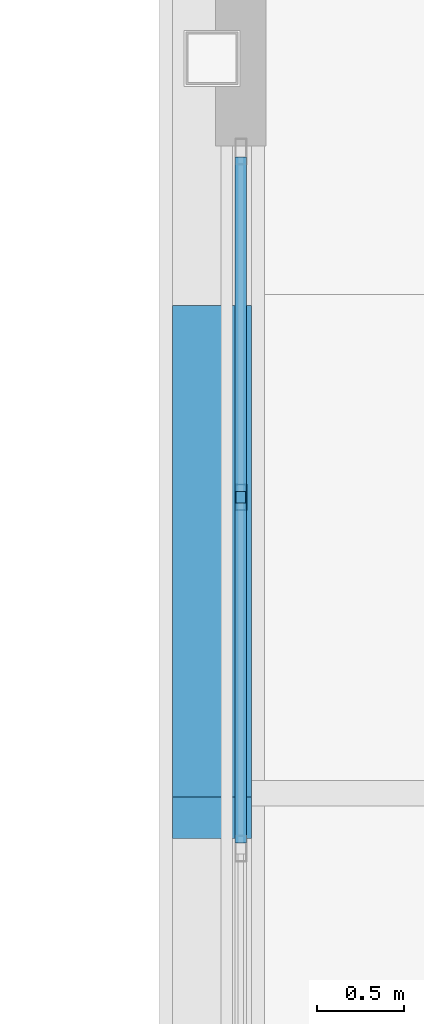
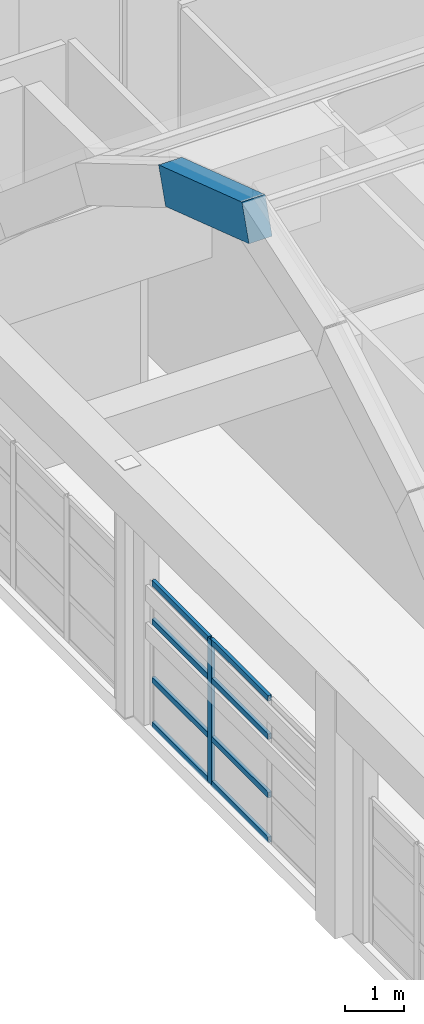
# One storey, part 34 of 103: 9 members, 1 beam, 1 element without a shape of its own.
"""IFC4 building model written with IfcOpenShell, lengths in metres."""

from ifc_helpers import new_model, si_unit, direction, frame, origin, origin_2d, place, context, subcontext, project, spatial, rectangle, hollow_rectangle, extrude, material, layer, layer_set, material_profile, profile_set, type_object, element, aggregate, save


model = new_model("IFC4")

# Units and contexts
model_context = context("Model", 3, precision=1e-05, world=origin(), true_north=direction((0.0, 1.0)))
body_context = subcontext(model_context, "Body", "Model", "MODEL_VIEW")
ifc_project = project(units=[si_unit("LENGTHUNIT", "METRE"), si_unit("AREAUNIT", "SQUARE_METRE"), si_unit("VOLUMEUNIT", "CUBIC_METRE"), si_unit("PLANEANGLEUNIT", "RADIAN"), si_unit("MASSUNIT", "GRAM", prefix="KILO")], contexts=[model_context])

# Site, building, storey
site_placement = place(None, origin())
site = spatial("IfcSite", under=ifc_project, at=site_placement, CompositionType="ELEMENT")
building_placement = place(site_placement, origin())
building = spatial("IfcBuilding", under=site, at=building_placement, Name="Quendrovan Civic Courthouse", CompositionType="ELEMENT")
storey_placement = place(building_placement, frame((0.0, 0.0, 15.300048828125)))
storey = spatial("IfcBuildingStorey", under=building, at=storey_placement, Name="L04", CompositionType="ELEMENT", Elevation=15.300048828125)

# Beam
ifc_material_1 = material(Name="Concrete C40/50", Category="concrete")
ifc_material_profile_1 = material_profile(ifc_material_1, rectangle(XDim=0.449951171875, YDim=0.75, at=origin_2d()), Name="RC-VRIB-450x750")
ifc_profile_set_1 = profile_set([ifc_material_profile_1], Name="Concrete C40/50")
beam_type = type_object("IfcBeamType", Name="BM-VRIB750", PredefinedType="BEAM", material=ifc_profile_set_1)
beam_placement = place(storey_placement, frame((33.60009765625, 76.05859375, 12.746337890625), z_axis=(0.0, 0.948839823913, -0.315757800468), x_axis=(-1.0, 0.0, 0.0)))
element("IfcBeam", 1, at=beam_placement, inside=storey, type_object=beam_type, Name="BV2 Concrete Vault Arch Rib A1-C5", PredefinedType="BEAM", context=body_context, shape_type="SweptSolid", body=[
    extrude(rectangle(XDim=0.449951171875, YDim=0.75, at=origin_2d()), origin(), (0.0, 0.0, 1.0), 2.96142578125),
])

# Curtain wall, members
ifc_material_2 = material(Name="Bronze anodised aluminium and low-E glass", Category="aluminium")
ifc_layer = layer(ifc_material_2, 0.179931640625, Name="Bronze anodised aluminium and low-E glass")
ifc_layer_set = layer_set([ifc_layer], Name="Bronze anodised aluminium and low-E glass")
curtain_wall_type = type_object("IfcCurtainWallType", Name="CW-U60x30", PredefinedType="USERDEFINED", material=ifc_layer_set)
curtain_wall_placement = place(storey_placement, origin())
curtain_wall = element("IfcCurtainWall", 2, at=curtain_wall_placement, inside=storey, type_object=curtain_wall_type, Name="L04 Unitised Hurricane Curtain Wall CW-165", ObjectType="UNITISED CURTAIN WALL", PredefinedType="USERDEFINED")
ifc_material_3 = material(Name="Bronze anodised aluminium", Category="aluminium")
ifc_material_profile_2 = material_profile(ifc_material_3, hollow_rectangle(XDim=0.06494140625, YDim=0.14990234375, WallThickness=0.00390625, at=origin_2d()), Name="CW-MULL-65x150")
ifc_profile_set_2 = profile_set([ifc_material_profile_2], Name="Bronze anodised aluminium")
member_type_1 = type_object("IfcMemberType", Name="CW-MULL-B", PredefinedType="MULLION", material=ifc_profile_set_2)
member_1_placement = place(storey_placement, frame((33.764892578125, 77.8916015625, 0.0), z_axis=(0.0, 0.0, 1.0), x_axis=(-1.0, 0.0, 0.0)))
member_1 = element("IfcMember", 3, at=member_1_placement, type_object=member_type_1, Name="CW-165 mullion 3", PredefinedType="MULLION", context=body_context, shape_type="SweptSolid", body=[
    extrude(hollow_rectangle(XDim=0.06494140625, YDim=0.14990234375, WallThickness=0.00390625, at=origin_2d()), origin(), (0.0, 0.0, 1.0), 2.969970703125),
])
ifc_material_profile_3 = material_profile(ifc_material_3, hollow_rectangle(XDim=0.06494140625, YDim=0.114990234375, WallThickness=0.00390625, at=origin_2d()), Name="CW-TRAN-65x115")
ifc_profile_set_3 = profile_set([ifc_material_profile_3], Name="Bronze anodised aluminium")
member_type_2 = type_object("IfcMemberType", Name="CW-TRAN-B", PredefinedType="USERDEFINED", material=ifc_profile_set_3)
member_2_placement = place(storey_placement, frame((33.764892578125, 75.915771484375, 0.032470703125), z_axis=(0.0, 1.0, 0.0), x_axis=(-1.0, 0.0, 0.0)))
member_2 = element("IfcMember", 4, at=member_2_placement, type_object=member_type_2, Name="CW-165 transom 2.1", ObjectType="TRANSOM", PredefinedType="USERDEFINED", context=body_context, shape_type="SweptSolid", body=[
    extrude(hollow_rectangle(XDim=0.06494140625, YDim=0.114990234375, WallThickness=0.00390625, at=origin_2d()), origin(), (0.0, 0.0, 1.0), 1.943359375),
])
member_3_placement = place(storey_placement, frame((33.764892578125, 75.915771484375, 0.949951171875), z_axis=(0.0, 1.0, 0.0), x_axis=(-1.0, 0.0, 0.0)))
member_3 = element("IfcMember", 5, at=member_3_placement, type_object=member_type_2, Name="CW-165 transom 2.2", ObjectType="TRANSOM", PredefinedType="USERDEFINED", context=body_context, shape_type="SweptSolid", body=[
    extrude(hollow_rectangle(XDim=0.06494140625, YDim=0.114990234375, WallThickness=0.00390625, at=origin_2d()), origin(), (0.0, 0.0, 1.0), 1.943359375),
])
member_4_placement = place(storey_placement, frame((33.764892578125, 75.915771484375, 2.14990234375), z_axis=(0.0, 1.0, 0.0), x_axis=(-1.0, 0.0, 0.0)))
member_4 = element("IfcMember", 6, at=member_4_placement, type_object=member_type_2, Name="CW-165 transom 2.3", ObjectType="TRANSOM", PredefinedType="USERDEFINED", context=body_context, shape_type="SweptSolid", body=[
    extrude(hollow_rectangle(XDim=0.06494140625, YDim=0.114990234375, WallThickness=0.00390625, at=origin_2d()), origin(), (0.0, 0.0, 1.0), 1.943359375),
])
member_5_placement = place(storey_placement, frame((33.764892578125, 75.915771484375, 2.9375), z_axis=(0.0, 1.0, 0.0), x_axis=(-1.0, 0.0, 0.0)))
member_5 = element("IfcMember", 7, at=member_5_placement, type_object=member_type_2, Name="CW-165 transom 2.4", ObjectType="TRANSOM", PredefinedType="USERDEFINED", context=body_context, shape_type="SweptSolid", body=[
    extrude(hollow_rectangle(XDim=0.06494140625, YDim=0.114990234375, WallThickness=0.00390625, at=origin_2d()), origin(), (0.0, 0.0, 1.0), 1.943359375),
])
member_6_placement = place(storey_placement, frame((33.764892578125, 77.924072265625, 0.032470703125), z_axis=(0.0, 1.0, 0.0), x_axis=(-1.0, 0.0, 0.0)))
member_6 = element("IfcMember", 8, at=member_6_placement, type_object=member_type_2, Name="CW-165 transom 3.1", ObjectType="TRANSOM", PredefinedType="USERDEFINED", context=body_context, shape_type="SweptSolid", body=[
    extrude(hollow_rectangle(XDim=0.06494140625, YDim=0.114990234375, WallThickness=0.00390625, at=origin_2d()), origin(), (0.0, 0.0, 1.0), 1.910888671875),
])
member_7_placement = place(storey_placement, frame((33.764892578125, 77.924072265625, 0.949951171875), z_axis=(0.0, 1.0, 0.0), x_axis=(-1.0, 0.0, 0.0)))
member_7 = element("IfcMember", 9, at=member_7_placement, type_object=member_type_2, Name="CW-165 transom 3.2", ObjectType="TRANSOM", PredefinedType="USERDEFINED", context=body_context, shape_type="SweptSolid", body=[
    extrude(hollow_rectangle(XDim=0.06494140625, YDim=0.114990234375, WallThickness=0.00390625, at=origin_2d()), origin(), (0.0, 0.0, 1.0), 1.910888671875),
])
member_8_placement = place(storey_placement, frame((33.764892578125, 77.924072265625, 2.14990234375), z_axis=(0.0, 1.0, 0.0), x_axis=(-1.0, 0.0, 0.0)))
member_8 = element("IfcMember", 10, at=member_8_placement, type_object=member_type_2, Name="CW-165 transom 3.3", ObjectType="TRANSOM", PredefinedType="USERDEFINED", context=body_context, shape_type="SweptSolid", body=[
    extrude(hollow_rectangle(XDim=0.06494140625, YDim=0.114990234375, WallThickness=0.00390625, at=origin_2d()), origin(), (0.0, 0.0, 1.0), 1.910888671875),
])
member_9_placement = place(storey_placement, frame((33.764892578125, 77.924072265625, 2.9375), z_axis=(0.0, 1.0, 0.0), x_axis=(-1.0, 0.0, 0.0)))
member_9 = element("IfcMember", 11, at=member_9_placement, type_object=member_type_2, Name="CW-165 transom 3.4", ObjectType="TRANSOM", PredefinedType="USERDEFINED", context=body_context, shape_type="SweptSolid", body=[
    extrude(hollow_rectangle(XDim=0.06494140625, YDim=0.114990234375, WallThickness=0.00390625, at=origin_2d()), origin(), (0.0, 0.0, 1.0), 1.910888671875),
])
aggregate(curtain_wall, [member_1, member_2, member_3, member_4, member_5, member_6, member_7, member_8, member_9])

save(model, "model.ifc")
